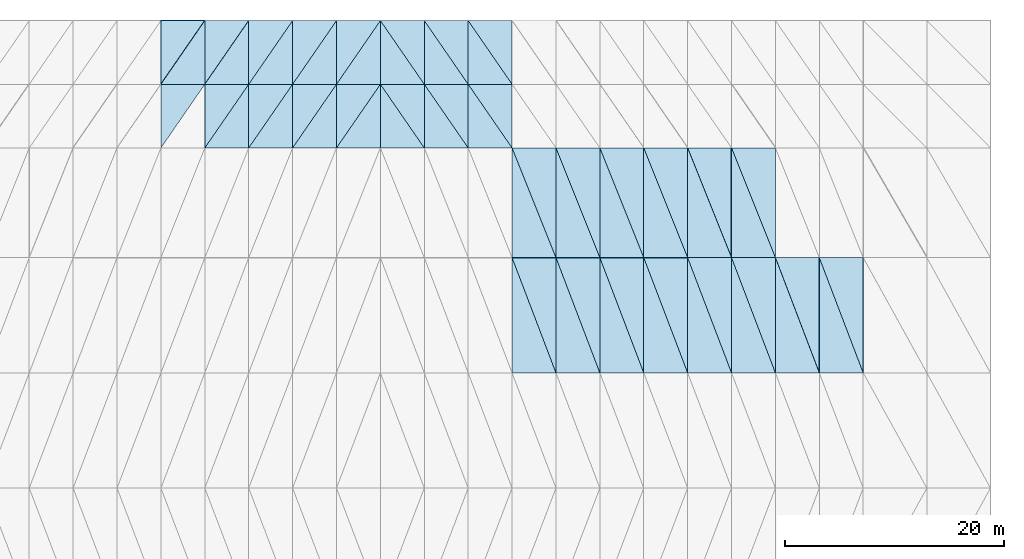
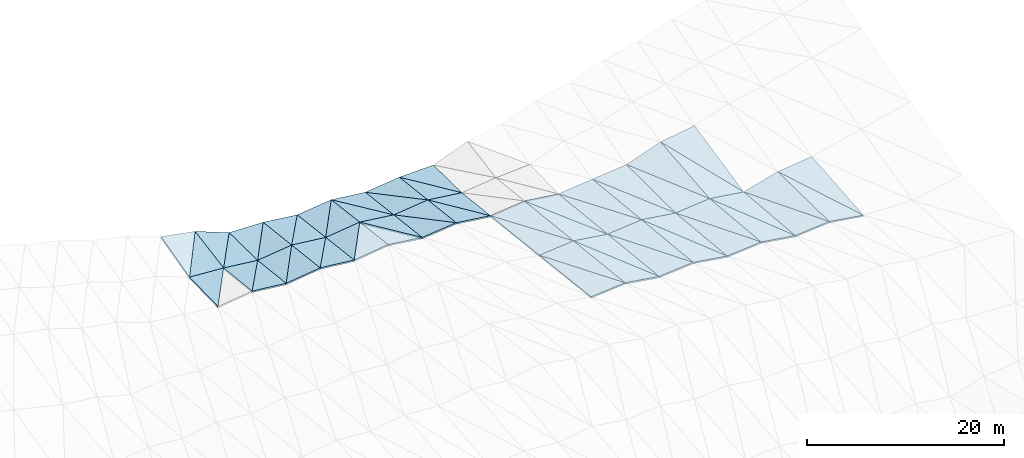
# One storey, part 31 of 42: 59 slabs, 3 elements without a shape of their own.
"""IFC4 building model written with IfcOpenShell, lengths in metres."""

from ifc_helpers import new_model, si_unit, direction, frame, origin, place, context, subcontext, project, spatial, polyline, outline, extrude, material, layer, layer_set, type_object, element, aggregate, save


model = new_model("IFC4")

# Units and contexts
model_context = context("Model", 3, precision=1e-05, world=origin(), true_north=direction((0.0, 1.0)))
body_context = subcontext(model_context, "Body", "Model", "MODEL_VIEW")
ifc_project = project(units=[si_unit("LENGTHUNIT", "METRE"), si_unit("AREAUNIT", "SQUARE_METRE"), si_unit("VOLUMEUNIT", "CUBIC_METRE"), si_unit("PLANEANGLEUNIT", "RADIAN"), si_unit("MASSUNIT", "GRAM", prefix="KILO")], contexts=[model_context])

# Site, building, storey
site_placement = place(None, origin())
site = spatial("IfcSite", under=ifc_project, at=site_placement, CompositionType="ELEMENT")
building_placement = place(site_placement, origin())
building = spatial("IfcBuilding", under=site, at=building_placement, Name="Khorjan Park Terminus", CompositionType="ELEMENT")
storey_placement = place(building_placement, frame((0.0, 0.0, 20.4)))
storey = spatial("IfcBuildingStorey", under=building, at=storey_placement, Name="L04", CompositionType="ELEMENT", Elevation=20.4)

# Roof, slabs
ifc_material = material(Name="Concrete C50/60", Category="concrete")
ifc_layer_1 = layer(ifc_material, 0.18)
ifc_layer_set_1 = layer_set([ifc_layer_1], Name="Concrete C50/60")
roof_type = type_object("IfcRoofType", Name="RF-SHELL-UPPER", PredefinedType="FREEFORM", material=ifc_layer_set_1)
roof_1_placement = place(storey_placement, origin())
roof_1 = element("IfcRoof", 1, at=roof_1_placement, inside=storey, type_object=roof_type, Name="Upper concourse upturned-corner folded concrete shell roof RF-CS1 (2)", PredefinedType="FREEFORM")
ifc_layer_2 = layer(ifc_material, 0.18)
ifc_layer_set_2 = layer_set([ifc_layer_2], Name="Concrete C50/60")
slab_type = type_object("IfcSlabType", Name="SL-SHL-180", PredefinedType="ROOF", material=ifc_layer_set_2)
slab_1_placement = place(storey_placement, frame((72.0, 88.0, 1.4126), z_axis=(0.065984038894, -0.02564240154, 0.997491139737), x_axis=(0.567656684919, 0.823102193133, -0.016391086777)))
slab_1 = element("IfcSlab", 2, at=slab_1_placement, type_object=slab_type, Name="Upper concourse folded concrete shell facet RS-18 (178)", PredefinedType="ROOF", context=body_context, shape_type="SweptSolid", body=[
    extrude(outline(polyline([(0.0, 0.0), (7.046512630372558, 1.8214596497756474e-16), (4.771548809133732, 3.300689741865243), (0.0, 0.0)])), origin(), (0.0, 0.0, -1.0), 0.18),
])
slab_2_placement = place(storey_placement, frame((72.0, 93.8, 1.5617), z_axis=(0.064985555279, -0.175137655168, 0.9823969052), x_axis=(0.9978192431, 0.0, -0.066005742931)))
slab_2 = element("IfcSlab", 3, at=slab_2_placement, type_object=slab_type, Name="Upper concourse folded concrete shell facet RS-18 (179)", PredefinedType="ROOF", context=body_context, shape_type="SweptSolid", body=[
    extrude(outline(polyline([(0.0, 0.0), (4.00874209197848, -1.3877787807814457e-17), (3.9404921537877766, 5.8910523631976766), (0.0, 0.0)])), origin(), (0.0, 0.0, -1.0), 0.18),
])
slab_3_placement = place(storey_placement, frame((72.0, 93.8, 1.5617), z_axis=(0.177038961691, -0.248427917344, 0.952334382414), x_axis=(0.564377717096, 0.818347689789, 0.108558053883)))
slab_3 = element("IfcSlab", 4, at=slab_3_placement, type_object=slab_type, Name="Upper concourse folded concrete shell facet RS-18 (180)", PredefinedType="ROOF", context=body_context, shape_type="SweptSolid", body=[
    extrude(outline(polyline([(0.0, 0.0), (7.087452035816537, -5.551115123125783e-17), (4.91066493630108, 3.43722837230567), (0.0, 0.0)])), origin(), (0.0, 0.0, -1.0), 0.18),
])
slab_4_placement = place(storey_placement, frame((76.0, 88.0, 1.9371), z_axis=(0.106052306747, 0.113064775579, 0.987911567276), x_axis=(0.994287316425, 0.0, -0.106736743418)))
slab_4 = element("IfcSlab", 5, at=slab_4_placement, type_object=slab_type, Name="Upper concourse folded concrete shell facet RS-18 (197)", PredefinedType="ROOF", context=body_context, shape_type="SweptSolid", body=[
    extrude(outline(polyline([(0.0, 0.0), (4.022982023325484, 0.0), (4.09383387360653, 5.837431837316109), (0.0, 0.0)])), origin(), (0.0, 0.0, -1.0), 0.18),
])
slab_5_placement = place(storey_placement, frame((76.0, 88.0, 1.9371), z_axis=(0.111909060679, 0.108990167749, 0.987723395224), x_axis=(0.5610198258, 0.81347874741, -0.153326718391)))
slab_5 = element("IfcSlab", 6, at=slab_5_placement, type_object=slab_type, Name="Upper concourse folded concrete shell facet RS-18 (198)", PredefinedType="ROOF", context=body_context, shape_type="SweptSolid", body=[
    extrude(outline(polyline([(0.0, 0.0), (7.129872806719625, 5.134781488891349e-16), (4.816305834745917, 3.2943585272693703), (0.0, 0.0)])), origin(), (0.0, 0.0, -1.0), 0.18),
])
slab_6_placement = place(storey_placement, frame((76.0, 93.8, 1.2971), z_axis=(0.112567782973, 0.014560461321, 0.993537360748), x_axis=(0.993642695952, 0.0, -0.112579717451)))
slab_6 = element("IfcSlab", 7, at=slab_6_placement, type_object=slab_type, Name="Upper concourse folded concrete shell facet RS-18 (199)", PredefinedType="ROOF", context=body_context, shape_type="SweptSolid", body=[
    extrude(outline(polyline([(0.0, 0.0), (4.025591911756581, 8.673617379884035e-19), (4.035161187739946, 5.800614918175238), (0.0, 0.0)])), origin(), (0.0, 0.0, -1.0), 0.18),
])
slab_7_placement = place(storey_placement, frame((76.0, 93.8, 1.2971), z_axis=(0.360874271087, -0.163681902497, 0.918138331224), x_axis=(0.566083752706, 0.820821441423, -0.076166568927)))
slab_7 = element("IfcSlab", 8, at=slab_7_placement, type_object=slab_type, Name="Upper concourse folded concrete shell facet RS-18 (200)", PredefinedType="ROOF", context=body_context, shape_type="SweptSolid", body=[
    extrude(outline(polyline([(0.0, 0.0), (7.0660922184754975, 7.494005416219807e-16), (4.682008127985868, 3.5760251522429556), (0.0, 0.0)])), origin(), (0.0, 0.0, -1.0), 0.18),
])
slab_8_placement = place(storey_placement, frame((80.0, 88.0, 1.5077), z_axis=(-0.129147033665, 0.116758140917, 0.984727668051), x_axis=(0.991509216249, 0.0, 0.130036433711)))
slab_8 = element("IfcSlab", 9, at=slab_8_placement, type_object=slab_type, Name="Upper concourse folded concrete shell facet RS-18 (217)", PredefinedType="ROOF", context=body_context, shape_type="SweptSolid", body=[
    extrude(outline(polyline([(0.0, 0.0), (4.0342539781228455, -6.938893903907228e-18), (3.9448279226597056, 5.839943002342085), (0.0, 0.0)])), origin(), (0.0, 0.0, -1.0), 0.18),
])
slab_9_placement = place(storey_placement, frame((80.0, 88.0, 1.5077), z_axis=(-0.123412470972, 0.112836784682, 0.985919480501), x_axis=(0.567580895536, 0.822992298527, -0.023143111015)))
slab_9 = element("IfcSlab", 10, at=slab_9_placement, type_object=slab_type, Name="Upper concourse folded concrete shell facet RS-18 (218)", PredefinedType="ROOF", context=body_context, shape_type="SweptSolid", body=[
    extrude(outline(polyline([(0.0, 0.0), (7.047453555008359, -6.661338147750939e-16), (4.788717728549817, 3.3389838209060914), (0.0, 0.0)])), origin(), (0.0, 0.0, -1.0), 0.18),
])
slab_10_placement = place(storey_placement, frame((80.0, 93.8, 0.8439), z_axis=(-0.123355163104, 0.116828178689, 0.985461658513), x_axis=(0.992256490306, 0.0, 0.124205706174)))
slab_10 = element("IfcSlab", 11, at=slab_10_placement, type_object=slab_type, Name="Upper concourse folded concrete shell facet RS-18 (219)", PredefinedType="ROOF", context=body_context, shape_type="SweptSolid", body=[
    extrude(outline(polyline([(0.0, 0.0), (4.031215758304186, 0.0), (3.945811914738932, 5.839991433512916), (0.0, 0.0)])), origin(), (0.0, 0.0, -1.0), 0.18),
])
slab_11_placement = place(storey_placement, frame((80.0, 93.8, 0.8439), z_axis=(0.02546400511, 0.014648847311, 0.999568404721), x_axis=(0.567533304659, 0.822923291756, -0.02651799366)))
slab_11 = element("IfcSlab", 12, at=slab_11_placement, type_object=slab_type, Name="Upper concourse folded concrete shell facet RS-18 (220)", PredefinedType="ROOF", context=body_context, shape_type="SweptSolid", body=[
    extrude(outline(polyline([(0.0, 0.0), (7.048044523837799, 1.5048726154098802e-16), (4.775209121646366, 3.2931144596787574), (0.0, 0.0)])), origin(), (0.0, 0.0, -1.0), 0.18),
])
slab_12_placement = place(storey_placement, frame((84.0, 88.0, 2.0323), z_axis=(0.105951528521, 0.121074333942, 0.986972785473), x_axis=(0.994287316425, 0.0, -0.106736743418)))
slab_12 = element("IfcSlab", 13, at=slab_12_placement, type_object=slab_type, Name="Upper concourse folded concrete shell facet RS-18 (237)", PredefinedType="ROOF", context=body_context, shape_type="SweptSolid", body=[
    extrude(outline(polyline([(0.0, 0.0), (4.022982023325484, 6.938893903907228e-18), (4.098925216267583, 5.842984244497475), (0.0, 0.0)])), origin(), (0.0, 0.0, -1.0), 0.18),
])
slab_13_placement = place(storey_placement, frame((84.0, 88.0, 2.0323), z_axis=(0.111806431574, 0.117005939363, 0.98681757788), x_axis=(0.560432710394, 0.812627430071, -0.159849419822)))
slab_13 = element("IfcSlab", 14, at=slab_13_placement, type_object=slab_type, Name="Upper concourse folded concrete shell facet RS-18 (238)", PredefinedType="ROOF", context=body_context, shape_type="SweptSolid", body=[
    extrude(outline(polyline([(0.0, 0.0), (7.1373421390598875, -2.5673907444456745e-16), (4.823167540422028, 3.2939317186334174), (0.0, 0.0)])), origin(), (0.0, 0.0, -1.0), 0.18),
])
slab_14_placement = place(storey_placement, frame((84.0, 93.8, 1.3446), z_axis=(0.111752810051, 0.120980231108, 0.986344307596), x_axis=(0.993642695952, 0.0, -0.112579717451)))
slab_14 = element("IfcSlab", 15, at=slab_14_placement, type_object=slab_type, Name="Upper concourse folded concrete shell facet RS-18 (239)", PredefinedType="ROOF", context=body_context, shape_type="SweptSolid", body=[
    extrude(outline(polyline([(0.0, 0.0), (4.02559191175658, -6.938893903907228e-18), (4.105681122751472, 5.842916709853237), (0.0, 0.0)])), origin(), (0.0, 0.0, -1.0), 0.18),
])
slab_15_placement = place(storey_placement, frame((84.0, 93.8, 1.3446), z_axis=(0.117599028384, 0.11691041989, 0.986155374292), x_axis=(0.560132390071, 0.812191965603, -0.163082545369)))
slab_15 = element("IfcSlab", 16, at=slab_15_placement, type_object=slab_type, Name="Upper concourse folded concrete shell facet RS-18 (240)", PredefinedType="ROOF", context=body_context, shape_type="SweptSolid", body=[
    extrude(outline(polyline([(0.0, 0.0), (7.141168893115467, -9.020562075079397e-17), (4.822848958691209, 3.294377282833754), (0.0, 0.0)])), origin(), (0.0, 0.0, -1.0), 0.18),
])
slab_16_placement = place(storey_placement, frame((88.0, 88.0, 1.6029), z_axis=(-0.128997227002, 0.124701701183, 0.983772941866), x_axis=(0.9915124119, 0.0, 0.13001206501)))
slab_16 = element("IfcSlab", 17, at=slab_16_placement, type_object=slab_type, Name="Upper concourse folded concrete shell facet RS-18 (257)", PredefinedType="ROOF", context=body_context, shape_type="SweptSolid", body=[
    extrude(outline(polyline([(0.0, 0.0), (4.034240975697907, 0.0), (3.9386561055022713, 5.845629356415754), (0.0, 0.0)])), origin(), (0.0, 0.0, -1.0), 0.18),
])
slab_17_placement = place(storey_placement, frame((88.0, 88.0, 1.6029), z_axis=(-0.123319917941, 0.120830287561, 0.984983370137), x_axis=(0.567479255945, 0.82284492112, -0.029891969807)))
slab_17 = element("IfcSlab", 18, at=slab_17_placement, type_object=slab_type, Name="Upper concourse folded concrete shell facet RS-18 (258)", PredefinedType="ROOF", context=body_context, shape_type="SweptSolid", body=[
    extrude(outline(polyline([(0.0, 0.0), (7.048715804314993, -9.020562075079397e-17), (4.793768679014535, 3.3415586336467595), (0.0, 0.0)])), origin(), (0.0, 0.0, -1.0), 0.18),
])
slab_18_placement = place(storey_placement, frame((88.0, 93.8, 0.8914), z_axis=(-0.123258990923, 0.124793447899, 0.984496732609), x_axis=(0.992253432775, 0.0, 0.124230129783)))
slab_18 = element("IfcSlab", 19, at=slab_18_placement, type_object=slab_type, Name="Upper concourse folded concrete shell facet RS-18 (259)", PredefinedType="ROOF", context=body_context, shape_type="SweptSolid", body=[
    extrude(outline(polyline([(0.0, 0.0), (4.031228180095987, 0.0), (3.9398941886791983, 5.845697318713299), (0.0, 0.0)])), origin(), (0.0, 0.0, -1.0), 0.18),
])
slab_19_placement = place(storey_placement, frame((88.0, 93.8, 0.8914), z_axis=(-0.117542470947, 0.120898885031, 0.985681098085), x_axis=(0.567419022627, 0.82275758281, -0.033250754726)))
slab_19 = element("IfcSlab", 20, at=slab_19_placement, type_object=slab_type, Name="Upper concourse folded concrete shell facet RS-18 (260)", PredefinedType="ROOF", context=body_context, shape_type="SweptSolid", body=[
    extrude(outline(polyline([(0.0, 0.0), (7.049464047713129, -4.926614671774132e-16), (4.795648567208028, 3.338838837056315), (0.0, 0.0)])), origin(), (0.0, 0.0, -1.0), 0.18),
])
slab_20_placement = place(storey_placement, frame((92.0, 88.0, 2.1274), z_axis=(0.128997227002, 0.124701701183, 0.983772941866), x_axis=(0.9915124119, 0.0, -0.13001206501)))
slab_20 = element("IfcSlab", 21, at=slab_20_placement, type_object=slab_type, Name="Upper concourse folded concrete shell facet RS-18 (277)", PredefinedType="ROOF", context=body_context, shape_type="SweptSolid", body=[
    extrude(outline(polyline([(0.0, 0.0), (4.034240975697907, 0.0), (0.09558487019563575, 5.845629356415754), (0.0, 0.0)])), origin(), (0.0, 0.0, -1.0), 0.18),
])
slab_21_placement = place(storey_placement, frame((96.0, 88.0, 1.6029), z_axis=(0.123319917941, 0.120830287561, 0.984983370137), x_axis=(0.0, 0.992559610072, -0.121759683201)))
slab_21 = element("IfcSlab", 22, at=slab_21_placement, type_object=slab_type, Name="Upper concourse folded concrete shell facet RS-18 (278)", PredefinedType="ROOF", context=body_context, shape_type="SweptSolid", body=[
    extrude(outline(polyline([(0.0, 0.0), (5.843477753016604, 1.3877787807814457e-17), (5.78250050366949, 4.030766976030996), (0.0, 0.0)])), origin(), (0.0, 0.0, -1.0), 0.18),
])
slab_22_placement = place(storey_placement, frame((92.0, 93.8, 1.3922), z_axis=(0.123258990923, 0.124793447899, 0.984496732609), x_axis=(0.992253432775, 0.0, -0.124230129783)))
slab_22 = element("IfcSlab", 23, at=slab_22_placement, type_object=slab_type, Name="Upper concourse folded concrete shell facet RS-18 (279)", PredefinedType="ROOF", context=body_context, shape_type="SweptSolid", body=[
    extrude(outline(polyline([(0.0, 0.0), (4.031228180095987, 0.0), (0.09133399141678843, 5.845697318713299), (0.0, 0.0)])), origin(), (0.0, 0.0, -1.0), 0.18),
])
slab_23_placement = place(storey_placement, frame((96.0, 93.8, 0.8914), z_axis=(0.117542470947, 0.120898885031, 0.985681098085), x_axis=(0.0, 0.992561678115, -0.121742823761)))
slab_23 = element("IfcSlab", 24, at=slab_23_placement, type_object=slab_type, Name="Upper concourse folded concrete shell facet RS-18 (280)", PredefinedType="ROOF", context=body_context, shape_type="SweptSolid", body=[
    extrude(outline(polyline([(0.0, 0.0), (5.843465577891254, -1.3877787807814457e-17), (5.785394250957476, 4.027922134424665), (0.0, 0.0)])), origin(), (0.0, 0.0, -1.0), 0.18),
])
aggregate(roof_1, [slab_1, slab_2, slab_3, slab_4, slab_5, slab_6, slab_7, slab_8, slab_9, slab_10, slab_11, slab_12, slab_13, slab_14, slab_15, slab_16, slab_17, slab_18, slab_19, slab_20, slab_21, slab_22, slab_23])

roof_2_placement = place(storey_placement, origin())
roof_2 = element("IfcRoof", 25, at=roof_2_placement, inside=storey, type_object=roof_type, Name="Upper concourse upturned-corner folded concrete shell roof RF-CS1 (3)", PredefinedType="FREEFORM")
slab_24_placement = place(storey_placement, frame((96.0, 88.0, 1.6029), z_axis=(-0.105951528521, 0.121074333942, 0.986972785473), x_axis=(0.994287316425, 0.0, 0.106736743418)))
slab_24 = element("IfcSlab", 26, at=slab_24_placement, type_object=slab_type, Name="Upper concourse folded concrete shell facet RS-18 (297)", PredefinedType="ROOF", context=body_context, shape_type="SweptSolid", body=[
    extrude(outline(polyline([(0.0, 0.0), (4.022982023325484, -6.938893903907228e-18), (-0.07594319294209854, 5.842984244497475), (0.0, 0.0)])), origin(), (0.0, 0.0, -1.0), 0.18),
])
slab_25_placement = place(storey_placement, frame((100.0, 88.0, 2.0323), z_axis=(-0.111806431574, 0.117005939363, 0.98681757788), x_axis=(0.0, 0.993043959027, -0.117744194935)))
slab_25 = element("IfcSlab", 27, at=slab_25_placement, type_object=slab_type, Name="Upper concourse folded concrete shell facet RS-18 (298)", PredefinedType="ROOF", context=body_context, shape_type="SweptSolid", body=[
    extrude(outline(polyline([(0.0, 0.0), (5.840627645210741, 0.0), (5.893989314355249, 4.025238225529777), (0.0, 0.0)])), origin(), (0.0, 0.0, -1.0), 0.18),
])
slab_26_placement = place(storey_placement, frame((96.0, 93.8, 0.8914), z_axis=(-0.111752810051, 0.120980231108, 0.986344307596), x_axis=(0.993642695952, 0.0, 0.112579717451)))
slab_26 = element("IfcSlab", 28, at=slab_26_placement, type_object=slab_type, Name="Upper concourse folded concrete shell facet RS-18 (299)", PredefinedType="ROOF", context=body_context, shape_type="SweptSolid", body=[
    extrude(outline(polyline([(0.0, 0.0), (4.02559191175658, 1.3877787807814457e-17), (-0.0800892109948911, 5.842916709853238), (0.0, 0.0)])), origin(), (0.0, 0.0, -1.0), 0.18),
])
slab_27_placement = place(storey_placement, frame((100.0, 93.8, 1.3446), z_axis=(-0.117599028384, 0.11691041989, 0.986155374292), x_axis=(0.0, 0.993045960815, -0.117727310803)))
slab_27 = element("IfcSlab", 29, at=slab_27_placement, type_object=slab_type, Name="Upper concourse folded concrete shell facet RS-18 (300)", PredefinedType="ROOF", context=body_context, shape_type="SweptSolid", body=[
    extrude(outline(polyline([(0.0, 0.0), (5.840615871635453, 1.3877787807814457e-17), (5.896771798888405, 4.027949293602684), (0.0, 0.0)])), origin(), (0.0, 0.0, -1.0), 0.18),
])
slab_28_placement = place(storey_placement, frame((100.0, 88.0, 2.0323), z_axis=(0.129147033665, 0.116758140917, 0.984727668051), x_axis=(0.991509216249, 0.0, -0.130036433711)))
slab_28 = element("IfcSlab", 30, at=slab_28_placement, type_object=slab_type, Name="Upper concourse folded concrete shell facet RS-18 (317)", PredefinedType="ROOF", context=body_context, shape_type="SweptSolid", body=[
    extrude(outline(polyline([(0.0, 0.0), (4.0342539781228455, 0.0), (0.08942605546313925, 5.839943002342084), (0.0, 0.0)])), origin(), (0.0, 0.0, -1.0), 0.18),
])
slab_29_placement = place(storey_placement, frame((104.0, 88.0, 1.5077), z_axis=(0.123412470972, 0.112836784682, 0.985919480501), x_axis=(0.0, 0.993514439867, -0.113706014687)))
slab_29 = element("IfcSlab", 31, at=slab_29_placement, type_object=slab_type, Name="Upper concourse folded concrete shell facet RS-18 (318)", PredefinedType="ROOF", context=body_context, shape_type="SweptSolid", body=[
    extrude(outline(polyline([(0.0, 0.0), (5.8378618037771295, 1.3877787807814457e-17), (5.780929202223431, 4.030813710515574), (0.0, 0.0)])), origin(), (0.0, 0.0, -1.0), 0.18),
])
slab_30_placement = place(storey_placement, frame((100.0, 93.8, 1.3446), z_axis=(0.123355163104, 0.116828178689, 0.985461658513), x_axis=(0.992256490306, 0.0, -0.124205706174)))
slab_30 = element("IfcSlab", 32, at=slab_30_placement, type_object=slab_type, Name="Upper concourse folded concrete shell facet RS-18 (319)", PredefinedType="ROOF", context=body_context, shape_type="SweptSolid", body=[
    extrude(outline(polyline([(0.0, 0.0), (4.031215758304186, 0.0), (0.08540384356525431, 5.839991433512916), (0.0, 0.0)])), origin(), (0.0, 0.0, -1.0), 0.18),
])
slab_31_placement = place(storey_placement, frame((104.0, 93.8, 0.8439), z_axis=(-0.02546400511, 0.014648847311, 0.999568404721), x_axis=(0.0, 0.999892630256, -0.014653598892)))
slab_31 = element("IfcSlab", 33, at=slab_31_placement, type_object=slab_type, Name="Upper concourse folded concrete shell facet RS-18 (320)", PredefinedType="ROOF", context=body_context, shape_type="SweptSolid", body=[
    extrude(outline(polyline([(0.0, 0.0), (5.800622811388443, 4.336808689942018e-19), (5.802116013115505, 4.001297462117582), (0.0, 0.0)])), origin(), (0.0, 0.0, -1.0), 0.18),
])
slab_32_placement = place(storey_placement, frame((104.0, 67.5, 3.8541), z_axis=(-0.085451349086, 0.113298780999, 0.989879514468), x_axis=(0.996294693349, 0.0, 0.086005139403)))
slab_32 = element("IfcSlab", 34, at=slab_32_placement, type_object=slab_type, Name="Upper concourse folded concrete shell facet RS-18 (333)", PredefinedType="ROOF", context=body_context, shape_type="SweptSolid", body=[
    extrude(outline(polyline([(0.0, 0.0), (4.014876348033647, 0.0), (-0.1033609765349916, 10.568048057637217), (0.0, 0.0)])), origin(), (0.0, 0.0, -1.0), 0.18),
])
slab_33_placement = place(storey_placement, frame((108.0, 67.5, 4.1994), z_axis=(-0.096067723655, 0.109179217693, 0.989368935684), x_axis=(0.0, 0.993966228284, -0.109686539877)))
slab_33 = element("IfcSlab", 35, at=slab_33_placement, type_object=slab_type, Name="Upper concourse folded concrete shell facet RS-18 (334)", PredefinedType="ROOF", context=body_context, shape_type="SweptSolid", body=[
    extrude(outline(polyline([(0.0, 0.0), (10.563739190741128, 1.3877787807814457e-17), (10.606341442829521, 4.018586767523752), (0.0, 0.0)])), origin(), (0.0, 0.0, -1.0), 0.18),
])
slab_34_placement = place(storey_placement, frame((104.0, 78.0, 2.6523), z_axis=(-0.096024334606, 0.113192022029, 0.988922086573), x_axis=(0.995318870818, 0.0, 0.096645462356)))
slab_34 = element("IfcSlab", 36, at=slab_34_placement, type_object=slab_type, Name="Upper concourse folded concrete shell facet RS-18 (335)", PredefinedType="ROOF", context=body_context, shape_type="SweptSolid", body=[
    extrude(outline(polyline([(0.0, 0.0), (4.01881258085022, 0.0), (-0.11062039621313952, 10.064684410747399), (0.0, 0.0)])), origin(), (0.0, 0.0, -1.0), 0.18),
])
slab_35_placement = place(storey_placement, frame((108.0, 78.0, 3.0407), z_axis=(-0.106099902811, 0.109074851181, 0.988354940021), x_axis=(0.0, 0.993965402604, -0.109694021831)))
slab_35 = element("IfcSlab", 37, at=slab_35_placement, type_object=slab_type, Name="Upper concourse folded concrete shell facet RS-18 (336)", PredefinedType="ROOF", context=body_context, shape_type="SweptSolid", body=[
    extrude(outline(polyline([(0.0, 0.0), (10.060712348536757, 1.3877787807814457e-17), (10.107814961511169, 4.022706266165973), (0.0, 0.0)])), origin(), (0.0, 0.0, -1.0), 0.18),
])
slab_36_placement = place(storey_placement, frame((108.0, 67.5, 4.1994), z_axis=(0.149531651523, 0.108453327462, 0.982791005736), x_axis=(0.988622353186, 0.0, -0.150418891037)))
slab_36 = element("IfcSlab", 38, at=slab_36_placement, type_object=slab_type, Name="Upper concourse folded concrete shell facet RS-18 (353)", PredefinedType="ROOF", context=body_context, shape_type="SweptSolid", body=[
    extrude(outline(polyline([(0.0, 0.0), (4.046034349829473, 1.3877787807814457e-17), (0.1742903690448699, 10.56230129078215), (0.0, 0.0)])), origin(), (0.0, 0.0, -1.0), 0.18),
])
slab_37_placement = place(storey_placement, frame((112.0, 67.5, 3.5908), z_axis=(0.139238762803, 0.104633048871, 0.984715437077), x_axis=(0.0, 0.994402068368, -0.105662322636)))
slab_37 = element("IfcSlab", 39, at=slab_37_placement, type_object=slab_type, Name="Upper concourse folded concrete shell facet RS-18 (354)", PredefinedType="ROOF", context=body_context, shape_type="SweptSolid", body=[
    extrude(outline(polyline([(0.0, 0.0), (10.559109171232203, 0.0), (10.499346561549254, 4.039347941250405), (0.0, 0.0)])), origin(), (0.0, 0.0, -1.0), 0.18),
])
slab_38_placement = place(storey_placement, frame((108.0, 78.0, 3.0407), z_axis=(0.139178804369, 0.108626399223, 0.984291402892), x_axis=(0.990150474603, 0.0, -0.140007277109)))
slab_38 = element("IfcSlab", 40, at=slab_38_placement, type_object=slab_type, Name="Upper concourse folded concrete shell facet RS-18 (355)", PredefinedType="ROOF", context=body_context, shape_type="SweptSolid", body=[
    extrude(outline(polyline([(0.0, 0.0), (4.039790014344805, 1.3877787807814457e-17), (0.15451203101734373, 10.059525783667484), (0.0, 0.0)])), origin(), (0.0, 0.0, -1.0), 0.18),
])
slab_39_placement = place(storey_placement, frame((112.0, 78.0, 2.4751), z_axis=(0.129296562472, 0.104768425264, 0.986055767186), x_axis=(0.0, 0.994402814649, -0.105655299056)))
slab_39 = element("IfcSlab", 41, at=slab_39_placement, type_object=slab_type, Name="Upper concourse folded concrete shell facet RS-18 (356)", PredefinedType="ROOF", context=body_context, shape_type="SweptSolid", body=[
    extrude(outline(polyline([(0.0, 0.0), (10.056286901734655, 2.7755575615628914e-17), (10.00087069737956, 4.033860346404531), (0.0, 0.0)])), origin(), (0.0, 0.0, -1.0), 0.18),
])
slab_40_placement = place(storey_placement, frame((112.0, 67.5, 3.5908), z_axis=(-0.085527220121, 0.105275158373, 0.990758414372), x_axis=(0.996294693349, 0.0, 0.086005139403)))
slab_40 = element("IfcSlab", 42, at=slab_40_placement, type_object=slab_type, Name="Upper concourse folded concrete shell facet RS-18 (373)", PredefinedType="ROOF", context=body_context, shape_type="SweptSolid", body=[
    extrude(outline(polyline([(0.0, 0.0), (4.014876348033647, 6.938893903907228e-18), (-0.09595593403235975, 10.558673162321295), (0.0, 0.0)])), origin(), (0.0, 0.0, -1.0), 0.18),
])
slab_41_placement = place(storey_placement, frame((116.0, 67.5, 3.9361), z_axis=(-0.096149759296, 0.101152696602, 0.990213792955), x_axis=(0.0, 0.994822927965, -0.101623530718)))
slab_41 = element("IfcSlab", 43, at=slab_41_placement, type_object=slab_type, Name="Upper concourse folded concrete shell facet RS-18 (374)", PredefinedType="ROOF", context=body_context, shape_type="SweptSolid", body=[
    extrude(outline(polyline([(0.0, 0.0), (10.554642142678263, 0.0), (10.594112722008989, 4.0186187469536465), (0.0, 0.0)])), origin(), (0.0, 0.0, -1.0), 0.18),
])
slab_42_placement = place(storey_placement, frame((112.0, 78.0, 2.4751), z_axis=(-0.096109530431, 0.10516619576, 0.989799489508), x_axis=(0.995318870818, 0.0, 0.096645462356)))
slab_42 = element("IfcSlab", 44, at=slab_42_placement, type_object=slab_type, Name="Upper concourse folded concrete shell facet RS-18 (375)", PredefinedType="ROOF", context=body_context, shape_type="SweptSolid", body=[
    extrude(outline(polyline([(0.0, 0.0), (4.018812580850219, 0.0), (-0.10268580375367875, 10.05576262029427), (0.0, 0.0)])), origin(), (0.0, 0.0, -1.0), 0.18),
])
slab_43_placement = place(storey_placement, frame((116.0, 78.0, 2.8635), z_axis=(-0.106190432068, 0.101046601172, 0.989198249356), x_axis=(0.0, 0.994823167424, -0.101621186552)))
slab_43 = element("IfcSlab", 45, at=slab_43_placement, type_object=slab_type, Name="Upper concourse folded concrete shell facet RS-18 (376)", PredefinedType="ROOF", context=body_context, shape_type="SweptSolid", body=[
    extrude(outline(polyline([(0.0, 0.0), (10.052037716304094, 0.0), (10.09567385380968, 4.022745362001377), (0.0, 0.0)])), origin(), (0.0, 0.0, -1.0), 0.18),
])
slab_44_placement = place(storey_placement, frame((116.0, 67.5, 3.9361), z_axis=(0.149657647488, 0.10047903397, 0.983619109351), x_axis=(0.988622353186, 0.0, -0.150418891037)))
slab_44 = element("IfcSlab", 46, at=slab_44_placement, type_object=slab_type, Name="Upper concourse folded concrete shell facet RS-18 (393)", PredefinedType="ROOF", context=body_context, shape_type="SweptSolid", body=[
    extrude(outline(polyline([(0.0, 0.0), (4.046034349829473, -6.938893903907228e-18), (0.16133930252656176, 10.553408946376534), (0.0, 0.0)])), origin(), (0.0, 0.0, -1.0), 0.18),
])
slab_45_placement = place(storey_placement, frame((120.0, 67.5, 3.3275), z_axis=(0.139352001218, 0.096636910119, 0.985516274528), x_axis=(0.0, 0.995226792439, -0.097589095761)))
slab_45 = element("IfcSlab", 47, at=slab_45_placement, type_object=slab_type, Name="Upper concourse folded concrete shell facet RS-18 (394)", PredefinedType="ROOF", context=body_context, shape_type="SweptSolid", body=[
    extrude(outline(polyline([(0.0, 0.0), (10.550359053605714, 2.7755575615628914e-17), (10.495162661043038, 4.0394129175225535), (0.0, 0.0)])), origin(), (0.0, 0.0, -1.0), 0.18),
])
slab_46_placement = place(storey_placement, frame((116.0, 78.0, 2.8635), z_axis=(0.139296582326, 0.100630451801, 0.985124344599), x_axis=(0.990150474603, 0.0, -0.140007277109)))
slab_46 = element("IfcSlab", 48, at=slab_46_placement, type_object=slab_type, Name="Upper concourse folded concrete shell facet RS-18 (395)", PredefinedType="ROOF", context=body_context, shape_type="SweptSolid", body=[
    extrude(outline(polyline([(0.0, 0.0), (4.039790014344805, -1.3877787807814457e-17), (0.14301743356670582, 10.051020259839097), (0.0, 0.0)])), origin(), (0.0, 0.0, -1.0), 0.18),
])
slab_47_placement = place(storey_placement, frame((120.0, 78.0, 2.2979), z_axis=(-0.102899945668, 0.004187614995, 0.994682896738), x_axis=(0.0, 0.999991138068, -0.004209962691)))
slab_47 = element("IfcSlab", 49, at=slab_47_placement, type_object=slab_type, Name="Upper concourse folded concrete shell facet RS-18 (396)", PredefinedType="ROOF", context=body_context, shape_type="SweptSolid", body=[
    extrude(outline(polyline([(0.0, 0.0), (10.000088620107324, -8.673617379884035e-19), (10.00183070266897, 4.0213464666885335), (0.0, 0.0)])), origin(), (0.0, 0.0, -1.0), 0.18),
])
slab_48_placement = place(storey_placement, frame((120.0, 67.5, 3.3275), z_axis=(-0.08562224169, 0.097230716678, 0.991571994089), x_axis=(0.996292558823, 0.0, 0.086029862454)))
slab_48 = element("IfcSlab", 50, at=slab_48_placement, type_object=slab_type, Name="Upper concourse folded concrete shell facet RS-18 (413)", PredefinedType="ROOF", context=body_context, shape_type="SweptSolid", body=[
    extrude(outline(polyline([(0.0, 0.0), (4.014884949783742, 0.0), (-0.08857634638301563, 10.549987222307971), (0.0, 0.0)])), origin(), (0.0, 0.0, -1.0), 0.18),
])
slab_49_placement = place(storey_placement, frame((124.0, 67.5, 3.6729), z_axis=(-0.096250196009, 0.093106152713, 0.990993009105), x_axis=(0.0, 0.995615480577, -0.093540444913)))
slab_49 = element("IfcSlab", 51, at=slab_49_placement, type_object=slab_type, Name="Upper concourse folded concrete shell facet RS-18 (414)", PredefinedType="ROOF", context=body_context, shape_type="SweptSolid", body=[
    extrude(outline(polyline([(0.0, 0.0), (10.546240194969961, -2.7755575615628914e-17), (10.582580657818777, 4.018657937764788), (0.0, 0.0)])), origin(), (0.0, 0.0, -1.0), 0.18),
])
slab_50_placement = place(storey_placement, frame((120.0, 78.0, 2.2979), z_axis=(-0.096669264145, 0.004190245581, 0.995307738949), x_axis=(0.995316476949, 0.0, 0.096670112824)))
slab_50 = element("IfcSlab", 52, at=slab_50_placement, type_object=slab_type, Name="Upper concourse folded concrete shell facet RS-18 (415)", PredefinedType="ROOF", context=body_context, shape_type="SweptSolid", body=[
    extrude(outline(polyline([(0.0, 0.0), (4.0188222466289805, 0.0), (-0.004069811749877708, 10.000087791946246), (0.0, 0.0)])), origin(), (0.0, 0.0, -1.0), 0.18),
])
slab_51_placement = place(storey_placement, frame((124.0, 78.0, 2.6864), z_axis=(-0.332379965278, -0.092536084086, 0.93859503079), x_axis=(0.0, 0.995175150706, 0.098114318108)))
slab_51 = element("IfcSlab", 53, at=slab_51_placement, type_object=slab_type, Name="Upper concourse folded concrete shell facet RS-18 (416)", PredefinedType="ROOF", context=body_context, shape_type="SweptSolid", body=[
    extrude(outline(polyline([(0.0, 0.0), (10.048482413280126, 0.0), (9.909503481680034, 4.241126867540194), (0.0, 0.0)])), origin(), (0.0, 0.0, -1.0), 0.18),
])
aggregate(roof_2, [slab_24, slab_25, slab_26, slab_27, slab_28, slab_29, slab_30, slab_31, slab_32, slab_33, slab_34, slab_35, slab_36, slab_37, slab_38, slab_39, slab_40, slab_41, slab_42, slab_43, slab_44, slab_45, slab_46, slab_47, slab_48, slab_49, slab_50, slab_51])

roof_3_placement = place(storey_placement, origin())
roof_3 = element("IfcRoof", 54, at=roof_3_placement, inside=storey, type_object=roof_type, Name="Upper concourse upturned-corner folded concrete shell roof RF-CS1 (4)", PredefinedType="FREEFORM")
slab_52_placement = place(storey_placement, frame((124.0, 67.5, 3.6729), z_axis=(0.149798260211, 0.092484989055, 0.984381535807), x_axis=(0.988618677516, 0.0, -0.150443047251)))
slab_52 = element("IfcSlab", 55, at=slab_52_placement, type_object=slab_type, Name="Upper concourse folded concrete shell facet RS-18 (433)", PredefinedType="ROOF", context=body_context, shape_type="SweptSolid", body=[
    extrude(outline(polyline([(0.0, 0.0), (4.046049392926389, -6.938893903907228e-18), (0.14841206611313446, 10.545195878153807), (0.0, 0.0)])), origin(), (0.0, 0.0, -1.0), 0.18),
])
slab_53_placement = place(storey_placement, frame((128.0, 67.5, 3.0642), z_axis=(0.139456510512, 0.088612697526, 0.986255378446), x_axis=(0.0, 0.995987976977, -0.089487148331)))
slab_53 = element("IfcSlab", 56, at=slab_53_placement, type_object=slab_type, Name="Upper concourse folded concrete shell facet RS-18 (434)", PredefinedType="ROOF", context=body_context, shape_type="SweptSolid", body=[
    extrude(outline(polyline([(0.0, 0.0), (10.542295933998439, 0.0), (10.491682002902158, 4.039472934675882), (0.0, 0.0)])), origin(), (0.0, 0.0, -1.0), 0.18),
])
slab_54_placement = place(storey_placement, frame((124.0, 78.0, 2.6864), z_axis=(0.139344910731, -0.097157105721, 0.985466129637), x_axis=(0.990150474603, 0.0, -0.140007277109)))
slab_54 = element("IfcSlab", 57, at=slab_54_placement, type_object=slab_type, Name="Upper concourse folded concrete shell facet RS-18 (435)", PredefinedType="ROOF", context=body_context, shape_type="SweptSolid", body=[
    extrude(outline(polyline([(0.0, 0.0), (4.039790014344805, 6.938893903907228e-18), (-0.13803317450162989, 10.047534307119186), (0.0, 0.0)])), origin(), (0.0, 0.0, -1.0), 0.18),
])
slab_55_placement = place(storey_placement, frame((128.0, 78.0, 2.1208), z_axis=(-0.151788243329, -0.21054794217, 0.965727649617), x_axis=(0.0, 0.977048677743, 0.213016152722)))
slab_55 = element("IfcSlab", 58, at=slab_55_placement, type_object=slab_type, Name="Upper concourse folded concrete shell facet RS-18 (436)", PredefinedType="ROOF", context=body_context, shape_type="SweptSolid", body=[
    extrude(outline(polyline([(0.0, 0.0), (10.234904593595388, 0.0), (10.100981338379338, 4.046891183576887), (0.0, 0.0)])), origin(), (0.0, 0.0, -1.0), 0.18),
])
slab_56_placement = place(storey_placement, frame((128.0, 67.5, 3.0642), z_axis=(-0.085687247956, 0.089158022138, 0.992324817097), x_axis=(0.996292558823, 0.0, 0.086029862454)))
slab_56 = element("IfcSlab", 59, at=slab_56_placement, type_object=slab_type, Name="Upper concourse folded concrete shell facet RS-18 (453)", PredefinedType="ROOF", context=body_context, shape_type="SweptSolid", body=[
    extrude(outline(polyline([(0.0, 0.0), (4.014884949783742, 0.0), (-0.08116057223944856, 10.541983519315224), (0.0, 0.0)])), origin(), (0.0, 0.0, -1.0), 0.18),
])
slab_57_placement = place(storey_placement, frame((132.0, 67.5, 3.4096), z_axis=(-0.270648038783, 0.015043450542, 0.962560820779), x_axis=(0.0, 0.999877896245, -0.015626663121)))
slab_57 = element("IfcSlab", 60, at=slab_57_placement, type_object=slab_type, Name="Upper concourse folded concrete shell facet RS-18 (454)", PredefinedType="ROOF", context=body_context, shape_type="SweptSolid", body=[
    extrude(outline(polyline([(0.0, 0.0), (10.501282245992629, -1.3877787807814457e-17), (10.518857554005175, 4.155074150788197), (0.0, 0.0)])), origin(), (0.0, 0.0, -1.0), 0.18),
])
slab_58_placement = place(storey_placement, frame((132.0, 67.5, 3.4096), z_axis=(0.150425093278, 0.015448853721, 0.988500695109), x_axis=(0.988618677516, 0.0, -0.150443047251)))
slab_58 = element("IfcSlab", 61, at=slab_58_placement, type_object=slab_type, Name="Upper concourse folded concrete shell facet RS-18 (473)", PredefinedType="ROOF", context=body_context, shape_type="SweptSolid", body=[
    extrude(outline(polyline([(0.0, 0.0), (4.046049392926389, 0.0), (0.024687704053893117, 10.501253226509137), (0.0, 0.0)])), origin(), (0.0, 0.0, -1.0), 0.18),
])
slab_59_placement = place(storey_placement, frame((136.0, 67.5, 2.8009), z_axis=(-0.117696665444, -0.086724726516, 0.989255435544), x_axis=(0.0, 0.996179286637, 0.087331717462)))
slab_59 = element("IfcSlab", 62, at=slab_59_placement, type_object=slab_type, Name="Upper concourse folded concrete shell facet RS-18 (474)", PredefinedType="ROOF", context=body_context, shape_type="SweptSolid", body=[
    extrude(outline(polyline([(0.0, 0.0), (10.540271355615092, 0.0), (10.498710191274988, 4.027996211470252), (0.0, 0.0)])), origin(), (0.0, 0.0, -1.0), 0.18),
])
aggregate(roof_3, [slab_52, slab_53, slab_54, slab_55, slab_56, slab_57, slab_58, slab_59])

save(model, "model.ifc")
